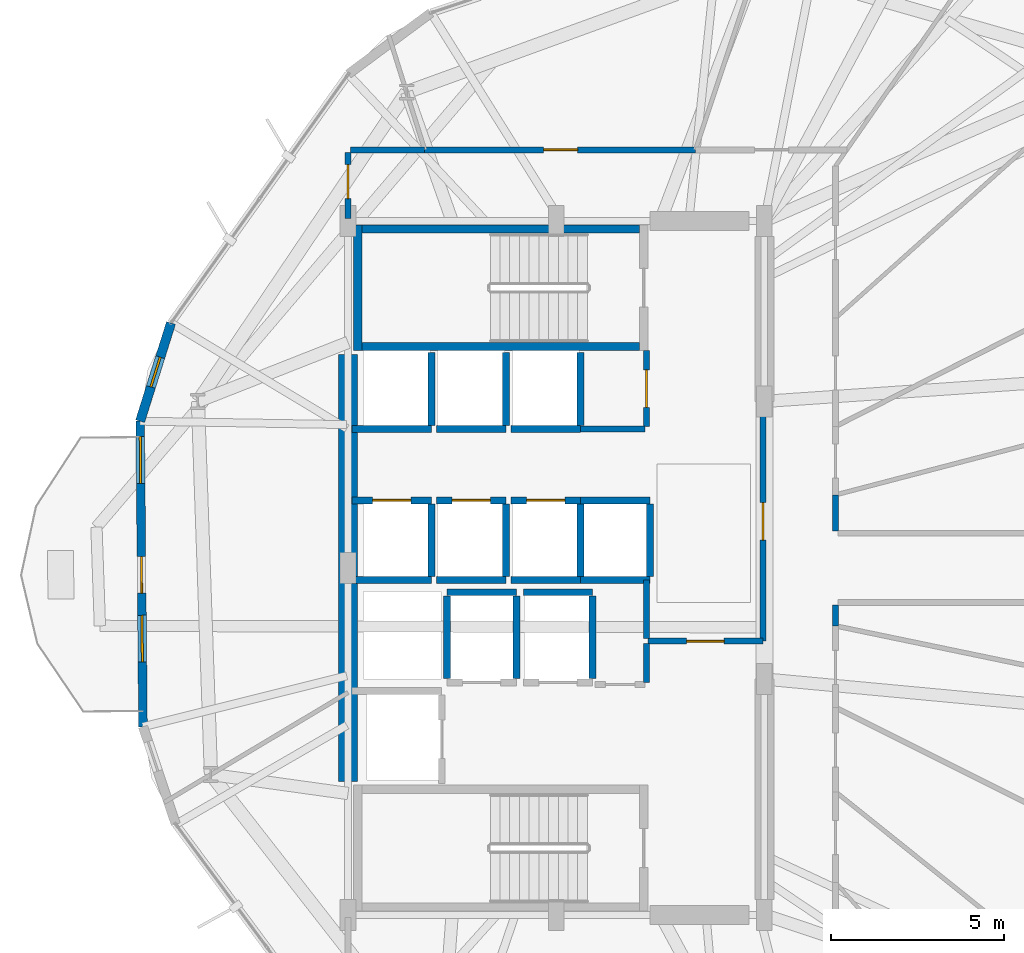
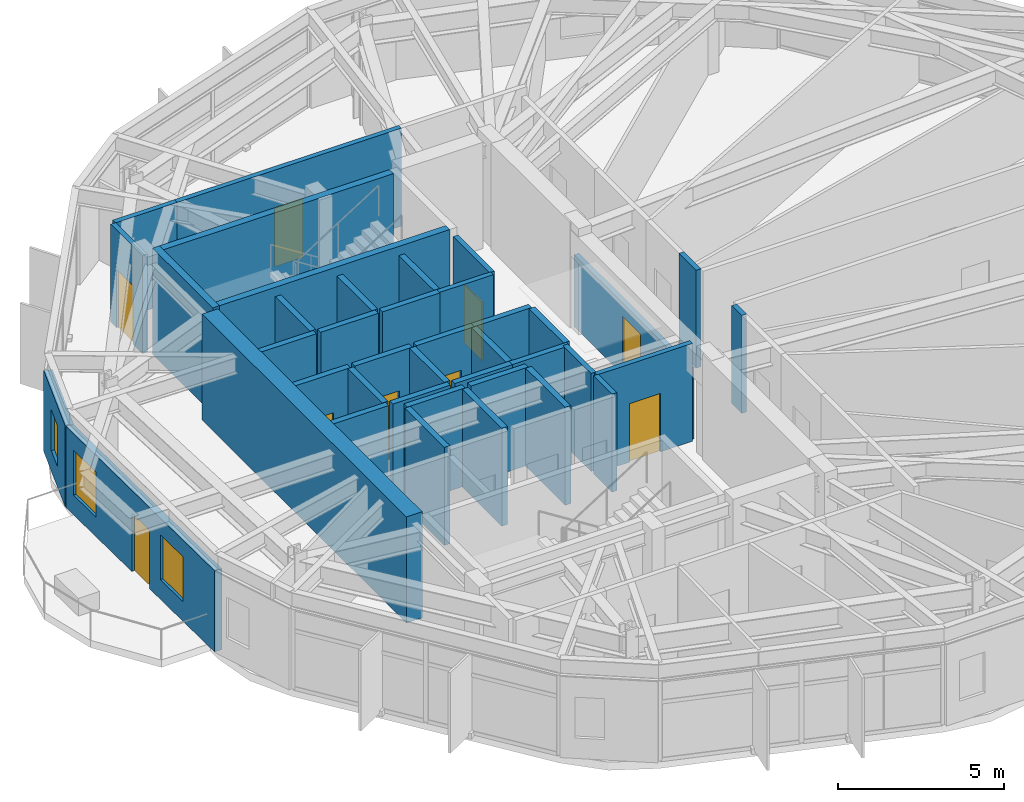
# One storey, part 22 of 27: 40 walls, 9 doors, 3 windows, 12 openings.
"""IFC4 building model written with IfcOpenShell, lengths in metres."""

from ifc_helpers import new_model, si_unit, direction, frame, frame_2d, origin, place, context, subcontext, project, spatial, rectangle, extrude, material, layer, layer_set, type_object, element, fill, save


model = new_model("IFC4")

# Units and contexts
model_context = context("Model", 3, precision=1e-05, world=origin(), true_north=direction((0.0, 1.0)))
body_context = subcontext(model_context, "Body", "Model", "MODEL_VIEW")
ifc_project = project(units=[si_unit("LENGTHUNIT", "METRE"), si_unit("AREAUNIT", "SQUARE_METRE"), si_unit("VOLUMEUNIT", "CUBIC_METRE"), si_unit("PLANEANGLEUNIT", "RADIAN"), si_unit("MASSUNIT", "GRAM", prefix="KILO")], contexts=[model_context])

# Site, building, storey
site_placement = place(None, origin())
site = spatial("IfcSite", under=ifc_project, at=site_placement, CompositionType="ELEMENT")
building_placement = place(site_placement, origin())
building = spatial("IfcBuilding", under=site, at=building_placement, Name="Soratama Intermodal Tower", CompositionType="ELEMENT")
storey_placement = place(building_placement, frame((0.0, 0.0, 103.0)))
storey = spatial("IfcBuildingStorey", under=building, at=storey_placement, Name="L24", CompositionType="ELEMENT", Elevation=103.0)

# Wall, openings, door, windows
ifc_material_1 = material(Name="Concrete f'c 42 MPa", Category="concrete")
ifc_layer_1 = layer(ifc_material_1, 0.25)
ifc_layer_set_1 = layer_set([ifc_layer_1], Name="Concrete f'c 42 MPa")
wall_type_1 = type_object("IfcWallType", Name="EW-BAL-250", PredefinedType="SOLIDWALL", material=ifc_layer_set_1)
wall_1_placement = place(storey_placement, frame((26.607421875, 29.22998046875, 0.0), z_axis=(0.0, 0.0, 1.0), x_axis=(0.009425958451, -0.999955574667, 0.0)))
wall_1 = element("IfcWall", 1, at=wall_1_placement, inside=storey, type_object=wall_type_1, Name="L24 Terrace Wall F05", PredefinedType="SOLIDWALL", context=body_context, shape_type="SweptSolid", body=[
    extrude(rectangle(XDim=8.806396484375, YDim=0.25, at=frame_2d((4.4033203125, 0.0))), origin(), (0.0, 0.0, 1.0), 2.97900390625),
])
opening_1_placement = place(wall_1_placement, frame((3.9033203125, 0.0, 0.0)))
opening_1 = element("IfcOpeningElement", 2, at=opening_1_placement, cuts=wall_1, Name="Opening ED-5", PredefinedType="OPENING", context=body_context, shape_type="SweptSolid", body=[
    extrude(rectangle(XDim=1.050048828125, YDim=2.14990234375, at=frame_2d((0.52490234375, 1.074951171875))), frame((0.0, 0.135009765625, 0.0), z_axis=(0.0, -1.0, 0.0), x_axis=(1.0, 0.0, 0.0)), (0.0, 0.0, 1.0), 0.27001953125),
])
opening_2_placement = place(wall_1_placement, frame((0.43994140625, 0.0, 0.719970703125)))
opening_2 = element("IfcOpeningElement", 3, at=opening_2_placement, cuts=wall_1, Name="Opening WN-4", PredefinedType="OPENING", context=body_context, shape_type="SweptSolid", body=[
    extrude(rectangle(XDim=1.35009765625, YDim=1.64990234375, at=frame_2d((0.675048828125, 0.824951171875))), frame((0.0, 0.135009765625, 0.0), z_axis=(0.0, -1.0, 0.0), x_axis=(1.0, 0.0, 0.0)), (0.0, 0.0, 1.0), 0.27001953125),
])
opening_3_placement = place(wall_1_placement, frame((5.59326171875, 0.0, 0.719970703125)))
opening_3 = element("IfcOpeningElement", 4, at=opening_3_placement, cuts=wall_1, Name="Opening WN-4", PredefinedType="OPENING", context=body_context, shape_type="SweptSolid", body=[
    extrude(rectangle(XDim=1.35009765625, YDim=1.64990234375, at=frame_2d((0.675048828125, 0.824951171875))), frame((0.0, 0.135009765625, 0.0), z_axis=(0.0, -1.0, 0.0), x_axis=(1.0, 0.0, 0.0)), (0.0, 0.0, 1.0), 0.27001953125),
])
ifc_material_2 = material(Name="Double-glazed aluminium door", Category="aluminium")
door_type_1 = type_object("IfcDoorType", Name="DR-BAL-1050", OperationType="NOTDEFINED", PredefinedType="DOOR", material=ifc_material_2)
door_1_placement = place(opening_1_placement, origin())
door_1 = element("IfcDoor", 5, at=door_1_placement, inside=storey, type_object=door_type_1, Name="L24 Balcony Door F05", OperationType="SINGLE_SWING_LEFT", OverallHeight=2.14990234375, OverallWidth=1.050048828125, PredefinedType="DOOR", context=body_context, shape_type="SweptSolid", body=[
    extrude(rectangle(XDim=1.050048828125, YDim=2.14990234375, at=frame_2d((0.52490234375, 1.074951171875))), frame((0.0, 0.02490234375, 0.0), z_axis=(0.0, -1.0, 0.0), x_axis=(1.0, 0.0, 0.0)), (0.0, 0.0, 1.0), 0.050048828125),
])
fill(opening_1, door_1)
ifc_material_3 = material(Name="Double-glazed aluminium window", Category="aluminium")
window_type_1 = type_object("IfcWindowType", Name="WN-FAC-1350", PartitioningType="SINGLE_PANEL", PredefinedType="WINDOW", material=ifc_material_3)
window_1_placement = place(opening_2_placement, origin())
window_1 = element("IfcWindow", 6, at=window_1_placement, inside=storey, type_object=window_type_1, Name="L24 Window A F05", OverallHeight=1.64990234375, OverallWidth=1.35009765625, PartitioningType="SINGLE_PANEL", PredefinedType="WINDOW", context=body_context, shape_type="SweptSolid", body=[
    extrude(rectangle(XDim=1.35009765625, YDim=1.64990234375, at=frame_2d((0.675048828125, 0.824951171875))), frame((0.0, 0.030029296875, 0.0), z_axis=(0.0, -1.0, 0.0), x_axis=(1.0, 0.0, 0.0)), (0.0, 0.0, 1.0), 0.06005859375),
])
fill(opening_2, window_1)
window_2_placement = place(opening_3_placement, origin())
window_2 = element("IfcWindow", 7, at=window_2_placement, inside=storey, type_object=window_type_1, Name="L24 Window B F05", OverallHeight=1.64990234375, OverallWidth=1.35009765625, PartitioningType="SINGLE_PANEL", PredefinedType="WINDOW", context=body_context, shape_type="SweptSolid", body=[
    extrude(rectangle(XDim=1.35009765625, YDim=1.64990234375, at=frame_2d((0.675048828125, 0.824951171875))), frame((0.0, 0.030029296875, 0.0), z_axis=(0.0, -1.0, 0.0), x_axis=(1.0, 0.0, 0.0)), (0.0, 0.0, 1.0), 0.06005859375),
])
fill(opening_3, window_2)

# Wall, opening, window
ifc_material_4 = material(Name="Concrete f'c 42 MPa", Category="concrete")
ifc_layer_2 = layer(ifc_material_4, 0.27001953125)
ifc_layer_set_2 = layer_set([ifc_layer_2], Name="Concrete f'c 42 MPa")
wall_type_2 = type_object("IfcWallType", Name="EW-CRN-270", PredefinedType="SOLIDWALL", material=ifc_layer_set_2)
wall_2_placement = place(storey_placement, frame((27.49755859375, 32.06005859375, 0.0), z_axis=(0.0, 0.0, 1.0), x_axis=(-0.300036293242, -0.953927786962, 0.0)))
wall_2 = element("IfcWall", 8, at=wall_2_placement, inside=storey, type_object=wall_type_2, Name="L24 Corner Closure Wall 04", PredefinedType="SOLIDWALL", context=body_context, shape_type="SweptSolid", body=[
    extrude(rectangle(XDim=2.966796875, YDim=0.27001953125, at=frame_2d((1.4833984375, 0.0))), origin(), (0.0, 0.0, 1.0), 2.97900390625),
])
opening_4_placement = place(wall_2_placement, frame((1.033203125, 0.0, 0.75)))
opening_4 = element("IfcOpeningElement", 9, at=opening_4_placement, cuts=wall_2, Name="Opening WN-6", PredefinedType="OPENING", context=body_context, shape_type="SweptSolid", body=[
    extrude(rectangle(XDim=0.89990234375, YDim=1.5, at=frame_2d((0.449951171875, 0.75))), frame((0.0, 0.14501953125, 0.0), z_axis=(0.0, -1.0, 0.0), x_axis=(1.0, 0.0, 0.0)), (0.0, 0.0, 1.0), 0.2900390625),
])
ifc_material_5 = material(Name="Double-glazed aluminium window", Category="aluminium")
window_type_2 = type_object("IfcWindowType", Name="WN-FAC-900", PartitioningType="SINGLE_PANEL", PredefinedType="WINDOW", material=ifc_material_5)
window_3_placement = place(opening_4_placement, origin())
window_3 = element("IfcWindow", 10, at=window_3_placement, inside=storey, type_object=window_type_2, Name="L24 Corner Window 04", OverallHeight=1.5, OverallWidth=0.89990234375, PartitioningType="SINGLE_PANEL", PredefinedType="WINDOW", context=body_context, shape_type="SweptSolid", body=[
    extrude(rectangle(XDim=0.89990234375, YDim=1.5, at=frame_2d((0.449951171875, 0.75))), frame((0.0, 0.030029296875, 0.0), z_axis=(0.0, -1.0, 0.0), x_axis=(1.0, 0.0, 0.0)), (0.0, 0.0, 1.0), 0.06005859375),
])
fill(opening_4, window_3)

# Wall, opening, door
ifc_material_6 = material(Name="Fire-rated gypsum stud partition", Category="concrete")
ifc_layer_3 = layer(ifc_material_6, 0.169921875)
ifc_layer_set_3 = layer_set([ifc_layer_3], Name="Fire-rated gypsum stud partition")
wall_type_3 = type_object("IfcWallType", Name="IW-PART-R170", PredefinedType="PARTITIONING", material=ifc_layer_set_3)
wall_3_placement = place(storey_placement, frame((34.81005859375, 37.050048828125, 0.0), z_axis=(0.0, 0.0, 1.0), x_axis=(1.0, 0.0, 0.0)))
wall_3 = element("IfcWall", 11, at=wall_3_placement, inside=storey, type_object=wall_type_3, Name="L24 Partition W-L24-TP010", PredefinedType="PARTITIONING", context=body_context, shape_type="SweptSolid", body=[
    extrude(rectangle(XDim=7.803955078125, YDim=0.169921875, at=frame_2d((3.90185546875, 0.0))), origin(), (0.0, 0.0, 1.0), 3.60009765625),
])
opening_5_placement = place(wall_3_placement, frame((3.427001953125, 0.0, 0.0)))
opening_5 = element("IfcOpeningElement", 12, at=opening_5_placement, cuts=wall_3, Name="Opening ID-5", PredefinedType="OPENING", context=body_context, shape_type="SweptSolid", body=[
    extrude(rectangle(XDim=0.97998046875, YDim=2.14990234375, at=frame_2d((0.489990234375, 1.074951171875))), frame((0.0, 0.094970703125, 0.0), z_axis=(0.0, -1.0, 0.0), x_axis=(1.0, 0.0, 0.0)), (0.0, 0.0, 1.0), 0.18994140625),
])
ifc_material_7 = material(Name="Solid hardwood acoustic door", Category="wood")
door_type_2 = type_object("IfcDoorType", Name="DR-OFF-980", OperationType="NOTDEFINED", PredefinedType="DOOR", material=ifc_material_7)
door_2_placement = place(opening_5_placement, origin())
door_2 = element("IfcDoor", 13, at=door_2_placement, inside=storey, type_object=door_type_2, Name="L24 Door D-L24-TP003", OperationType="SINGLE_SWING_RIGHT", OverallHeight=2.14990234375, OverallWidth=0.97998046875, PredefinedType="DOOR", context=body_context, shape_type="SweptSolid", body=[
    extrude(rectangle(XDim=0.97998046875, YDim=2.14990234375, at=frame_2d((0.489990234375, 1.074951171875))), frame((0.0, 0.02490234375, 0.0), z_axis=(0.0, -1.0, 0.0), x_axis=(1.0, 0.0, 0.0)), (0.0, 0.0, 1.0), 0.050048828125),
])
fill(opening_5, door_2)

wall_4_placement = place(storey_placement, frame((44.56005859375, 29.800048828125, 0.0), z_axis=(0.0, 0.0, 1.0), x_axis=(0.0, -1.0, 0.0)))
wall_4 = element("IfcWall", 14, at=wall_4_placement, inside=storey, type_object=wall_type_3, Name="L24 Partition W-L24-TP014", PredefinedType="PARTITIONING", context=body_context, shape_type="SweptSolid", body=[
    extrude(rectangle(XDim=6.91015625, YDim=0.169921875, at=frame_2d((3.455078125, 0.0))), origin(), (0.0, 0.0, 1.0), 2.639892578125),
])
opening_6_placement = place(wall_4_placement, frame((2.9150390625, 0.0, 0.0)))
opening_6 = element("IfcOpeningElement", 15, at=opening_6_placement, cuts=wall_4, Name="Opening ID-1", PredefinedType="OPENING", context=body_context, shape_type="SweptSolid", body=[
    extrude(rectangle(XDim=1.080078125, YDim=2.14990234375, at=frame_2d((0.5400390625, 1.074951171875))), frame((0.0, 0.094970703125, 0.0), z_axis=(0.0, -1.0, 0.0), x_axis=(1.0, 0.0, 0.0)), (0.0, 0.0, 1.0), 0.18994140625),
])
ifc_material_8 = material(Name="Solid hardwood acoustic door", Category="wood")
door_type_3 = type_object("IfcDoorType", Name="DR-LOB-FD60", OperationType="NOTDEFINED", PredefinedType="DOOR", material=ifc_material_8)
door_3_placement = place(opening_6_placement, origin())
door_3 = element("IfcDoor", 16, at=door_3_placement, inside=storey, type_object=door_type_3, Name="L24 Door D-L24-TP004", OperationType="SINGLE_SWING_LEFT", OverallHeight=2.14990234375, OverallWidth=1.080078125, PredefinedType="DOOR", context=body_context, shape_type="SweptSolid", body=[
    extrude(rectangle(XDim=1.080078125, YDim=2.14990234375, at=frame_2d((0.5400390625, 1.074951171875))), frame((0.0, 0.02490234375, 0.0), z_axis=(0.0, -1.0, 0.0), x_axis=(1.0, 0.0, 0.0)), (0.0, 0.0, 1.0), 0.050048828125),
])
fill(opening_6, door_3)

wall_5_placement = place(storey_placement, frame((41.239990234375, 22.889892578125, 0.0), z_axis=(0.0, 0.0, 1.0), x_axis=(1.0, 0.0, 0.0)))
wall_5 = element("IfcWall", 17, at=wall_5_placement, inside=storey, type_object=wall_type_3, Name="L24 Partition W-L24-TP023", PredefinedType="PARTITIONING", context=body_context, shape_type="SweptSolid", body=[
    extrude(rectangle(XDim=3.320068359375, YDim=0.169921875, at=frame_2d((1.66015625, 0.0))), origin(), (0.0, 0.0, 1.0), 3.60009765625),
])
opening_7_placement = place(wall_5_placement, frame((1.1201171875, 0.0, 0.0)))
opening_7 = element("IfcOpeningElement", 18, at=opening_7_placement, cuts=wall_5, Name="Opening ID-0", PredefinedType="OPENING", context=body_context, shape_type="SweptSolid", body=[
    extrude(rectangle(XDim=1.080078125, YDim=2.14990234375, at=frame_2d((0.5400390625, 1.074951171875))), frame((0.0, 0.094970703125, 0.0), z_axis=(0.0, -1.0, 0.0), x_axis=(1.0, 0.0, 0.0)), (0.0, 0.0, 1.0), 0.18994140625),
])
ifc_material_9 = material(Name="Solid hardwood acoustic door", Category="wood")
door_type_4 = type_object("IfcDoorType", Name="DR-LOB-FD90", OperationType="NOTDEFINED", PredefinedType="DOOR", material=ifc_material_9)
door_4_placement = place(opening_7_placement, origin())
door_4 = element("IfcDoor", 19, at=door_4_placement, inside=storey, type_object=door_type_4, Name="L24 Door D-L24-TP007", OperationType="SINGLE_SWING_RIGHT", OverallHeight=2.14990234375, OverallWidth=1.080078125, PredefinedType="DOOR", context=body_context, shape_type="SweptSolid", body=[
    extrude(rectangle(XDim=1.080078125, YDim=2.14990234375, at=frame_2d((0.5400390625, 1.074951171875))), frame((0.0, 0.02490234375, 0.0), z_axis=(0.0, -1.0, 0.0), x_axis=(1.0, 0.0, 0.0)), (0.0, 0.0, 1.0), 0.050048828125),
])
fill(opening_7, door_4)

wall_6_placement = place(storey_placement, frame((41.199951171875, 29.070068359375, 0.0), z_axis=(0.0, 0.0, 1.0), x_axis=(0.0, 1.0, 0.0)))
wall_6 = element("IfcWall", 20, at=wall_6_placement, inside=storey, type_object=wall_type_3, Name="L24 Partition W-L24-TP033", PredefinedType="PARTITIONING", context=body_context, shape_type="SweptSolid", body=[
    extrude(rectangle(XDim=2.18994140625, YDim=0.169921875, at=frame_2d((1.094970703125, 0.0))), origin(), (0.0, 0.0, 1.0), 3.60009765625),
])
opening_8_placement = place(wall_6_placement, frame((0.554931640625, 0.0, 0.0)))
opening_8 = element("IfcOpeningElement", 21, at=opening_8_placement, cuts=wall_6, Name="Opening ID-1", PredefinedType="OPENING", context=body_context, shape_type="SweptSolid", body=[
    extrude(rectangle(XDim=1.080078125, YDim=2.14990234375, at=frame_2d((0.5400390625, 1.074951171875))), frame((0.0, 0.094970703125, 0.0), z_axis=(0.0, -1.0, 0.0), x_axis=(1.0, 0.0, 0.0)), (0.0, 0.0, 1.0), 0.18994140625),
])
door_5_placement = place(opening_8_placement, origin())
door_5 = element("IfcDoor", 22, at=door_5_placement, inside=storey, type_object=door_type_3, Name="L24 Door D-L24-TP017", OperationType="SINGLE_SWING_RIGHT", OverallHeight=2.14990234375, OverallWidth=1.080078125, PredefinedType="DOOR", context=body_context, shape_type="SweptSolid", body=[
    extrude(rectangle(XDim=1.080078125, YDim=2.14990234375, at=frame_2d((0.5400390625, 1.074951171875))), frame((0.0, 0.02490234375, 0.0), z_axis=(0.0, -1.0, 0.0), x_axis=(1.0, 0.0, 0.0)), (0.0, 0.0, 1.0), 0.050048828125),
])
fill(opening_8, door_5)

# Wall
wall_7_placement = place(storey_placement, frame((32.669921875, 37.050048828125, 0.0), z_axis=(0.0, 0.0, 1.0), x_axis=(1.0, 0.0, 0.0)))
element("IfcWall", 23, at=wall_7_placement, inside=storey, type_object=wall_type_3, Name="L24 Partition W-L24-TP034", PredefinedType="PARTITIONING", context=body_context, shape_type="SweptSolid", body=[
    extrude(rectangle(XDim=2.14013671875, YDim=0.169921875, at=frame_2d((1.070068359375, 0.0))), origin(), (0.0, 0.0, 1.0), 3.60009765625),
])

# Wall, opening, door
wall_8_placement = place(storey_placement, frame((32.60009765625, 35.070068359375, 0.0), z_axis=(0.0, 0.0, 1.0), x_axis=(0.0, 1.0, 0.0)))
wall_8 = element("IfcWall", 24, at=wall_8_placement, inside=storey, type_object=wall_type_3, Name="L24 Partition W-L24-TP037", PredefinedType="PARTITIONING", context=body_context, shape_type="SweptSolid", body=[
    extrude(rectangle(XDim=1.909912109375, YDim=0.169921875, at=frame_2d((0.955078125, 0.0))), origin(), (0.0, 0.0, 1.0), 3.60009765625),
])
opening_9_placement = place(wall_8_placement, frame((0.574951171875, 0.0, 0.0)))
opening_9 = element("IfcOpeningElement", 25, at=opening_9_placement, cuts=wall_8, Name="Opening ID-5", PredefinedType="OPENING", context=body_context, shape_type="SweptSolid", body=[
    extrude(rectangle(XDim=0.97998046875, YDim=2.14990234375, at=frame_2d((0.489990234375, 1.074951171875))), frame((0.0, 0.094970703125, 0.0), z_axis=(0.0, -1.0, 0.0), x_axis=(1.0, 0.0, 0.0)), (0.0, 0.0, 1.0), 0.18994140625),
])
door_6_placement = place(opening_9_placement, origin())
door_6 = element("IfcDoor", 26, at=door_6_placement, inside=storey, type_object=door_type_2, Name="L24 Door D-L24-TP019", OperationType="SINGLE_SWING_RIGHT", OverallHeight=2.14990234375, OverallWidth=0.97998046875, PredefinedType="DOOR", context=body_context, shape_type="SweptSolid", body=[
    extrude(rectangle(XDim=0.97998046875, YDim=2.14990234375, at=frame_2d((0.489990234375, 1.074951171875))), frame((0.0, 0.02490234375, 0.0), z_axis=(0.0, -1.0, 0.0), x_axis=(1.0, 0.0, 0.0)), (0.0, 0.0, 1.0), 0.050048828125),
])
fill(opening_9, door_6)

# Walls
wall_9_placement = place(storey_placement, frame((39.300048828125, 29.010009765625, 0.0), z_axis=(0.0, 0.0, 1.0), x_axis=(1.0, 0.0, 0.0)))
element("IfcWall", 27, at=wall_9_placement, inside=storey, type_object=wall_type_3, Name="L24 Partition W-L24-TP038", PredefinedType="PARTITIONING", context=body_context, shape_type="SweptSolid", body=[
    extrude(rectangle(XDim=1.85986328125, YDim=0.169921875, at=frame_2d((0.929931640625, 0.0))), origin(), (0.0, 0.0, 1.0), 3.60009765625),
])
wall_10_placement = place(storey_placement, frame((41.199951171875, 22.9599609375, 0.0), z_axis=(0.0, 0.0, 1.0), x_axis=(0.0, 1.0, 0.0)))
element("IfcWall", 28, at=wall_10_placement, inside=storey, type_object=wall_type_3, Name="L24 Partition W-L24-TP039", PredefinedType="PARTITIONING", context=body_context, shape_type="SweptSolid", body=[
    extrude(rectangle(XDim=1.68994140625, YDim=0.169921875, at=frame_2d((0.844970703125, 0.0))), origin(), (0.0, 0.0, 1.0), 3.60009765625),
])
wall_11_placement = place(storey_placement, frame((41.199951171875, 21.699951171875, 0.0), z_axis=(0.0, 0.0, 1.0), x_axis=(0.0, 1.0, 0.0)))
element("IfcWall", 29, at=wall_11_placement, inside=storey, type_object=wall_type_3, Name="L24 Partition W-L24-TP041", PredefinedType="PARTITIONING", context=body_context, shape_type="SweptSolid", body=[
    extrude(rectangle(XDim=1.1201171875, YDim=0.169921875, at=frame_2d((0.56005859375, 0.0))), origin(), (0.0, 0.0, 1.0), 3.60009765625),
])
wall_12_placement = place(storey_placement, frame((46.64990234375, 27.10595703125, 0.0), z_axis=(0.0, 0.0, 1.0), x_axis=(0.0, -1.0, 0.0)))
element("IfcWall", 30, at=wall_12_placement, inside=storey, type_object=wall_type_3, Name="L24 Partition W-L24-TP042", PredefinedType="PARTITIONING", context=body_context, shape_type="SweptSolid", body=[
    extrude(rectangle(XDim=1.035888671875, YDim=0.169921875, at=frame_2d((0.51806640625, 0.0))), origin(), (0.0, 0.0, 1.0), 3.60009765625),
])
wall_13_placement = place(storey_placement, frame((46.64990234375, 23.929931640625, 0.0), z_axis=(0.0, 0.0, 1.0), x_axis=(0.0, -1.0, 0.0)))
element("IfcWall", 31, at=wall_13_placement, inside=storey, type_object=wall_type_3, Name="L24 Partition W-L24-TP043", PredefinedType="PARTITIONING", context=body_context, shape_type="SweptSolid", body=[
    extrude(rectangle(XDim=0.599853515625, YDim=0.169921875, at=frame_2d((0.2998046875, 0.0))), origin(), (0.0, 0.0, 1.0), 3.60009765625),
])
ifc_material_10 = material(Name="Concrete f'c 42 MPa", Category="concrete")
ifc_layer_4 = layer(ifc_material_10, 0.199951171875)
ifc_layer_set_4 = layer_set([ifc_layer_4], Name="Concrete f'c 42 MPa")
wall_type_4 = type_object("IfcWallType", Name="IW-SHAFT-200", PredefinedType="SOLIDWALL", material=ifc_layer_set_4)
wall_14_placement = place(storey_placement, frame((35.449951171875, 24.300048828125, 0.0), z_axis=(0.0, 0.0, 1.0), x_axis=(1.0, 0.0, 0.0)))
element("IfcWall", 32, at=wall_14_placement, inside=storey, type_object=wall_type_4, Name="L24 FFL-1 Hoistway Wall N", PredefinedType="SOLIDWALL", context=body_context, shape_type="SweptSolid", body=[
    extrude(rectangle(XDim=2.0, YDim=0.199951171875, at=frame_2d((1.0, 0.0))), origin(), (0.0, 0.0, 1.0), 3.60009765625),
])
for number, where, z_axis, x_axis, name in (
    (33, (35.449951171875, 21.81005859375, 0.0), (0.0, 0.0, 1.0), (0.0, 1.0, 0.0), "L24 FFL-1 Hoistway Wall W"),
    (34, (37.449951171875, 21.81005859375, 0.0), (0.0, 0.0, 1.0), (0.0, 1.0, 0.0), "L24 FFL-1 Hoistway Wall E"),
):
    element("IfcWall", number, at=place(storey_placement, frame(where, z_axis=z_axis, x_axis=x_axis)), inside=storey, type_object=wall_type_4, Name=name, PredefinedType="SOLIDWALL", context=body_context, shape_type="SweptSolid", body=[
        extrude(rectangle(XDim=2.3798828125, YDim=0.199951171875, at=frame_2d((1.18994140625, 0.0))), origin(), (0.0, 0.0, 1.0), 3.60009765625),
    ])
wall_15_placement = place(storey_placement, frame((37.64990234375, 24.300048828125, 0.0), z_axis=(0.0, 0.0, 1.0), x_axis=(1.0, 0.0, 0.0)))
element("IfcWall", 35, at=wall_15_placement, inside=storey, type_object=wall_type_4, Name="L24 FFL-2 Hoistway Wall N", PredefinedType="SOLIDWALL", context=body_context, shape_type="SweptSolid", body=[
    extrude(rectangle(XDim=2.0, YDim=0.199951171875, at=frame_2d((1.0, 0.0))), origin(), (0.0, 0.0, 1.0), 3.60009765625),
])
wall_16_placement = place(storey_placement, frame((39.64990234375, 21.81005859375, 0.0), z_axis=(0.0, 0.0, 1.0), x_axis=(0.0, 1.0, 0.0)))
element("IfcWall", 36, at=wall_16_placement, inside=storey, type_object=wall_type_4, Name="L24 FFL-2 Hoistway Wall E", PredefinedType="SOLIDWALL", context=body_context, shape_type="SweptSolid", body=[
    extrude(rectangle(XDim=2.3798828125, YDim=0.199951171875, at=frame_2d((1.18994140625, 0.0))), origin(), (0.0, 0.0, 1.0), 3.60009765625),
])
wall_17_placement = place(storey_placement, frame((32.719970703125, 24.64990234375, 0.0), z_axis=(0.0, 0.0, 1.0), x_axis=(1.0, 0.0, 0.0)))
element("IfcWall", 37, at=wall_17_placement, inside=storey, type_object=wall_type_4, Name="L24 PL-L1 Hoistway Wall S", PredefinedType="SOLIDWALL", context=body_context, shape_type="SweptSolid", body=[
    extrude(rectangle(XDim=2.280029296875, YDim=0.199951171875, at=frame_2d((1.14013671875, 0.0))), origin(), (0.0, 0.0, 1.0), 3.60009765625),
])

# Wall, opening, door
wall_18_placement = place(storey_placement, frame((32.719970703125, 26.949951171875, 0.0), z_axis=(0.0, 0.0, 1.0), x_axis=(1.0, 0.0, 0.0)))
wall_18 = element("IfcWall", 38, at=wall_18_placement, inside=storey, type_object=wall_type_4, Name="L24 PL-L1 Hoistway Wall N", PredefinedType="SOLIDWALL", context=body_context, shape_type="SweptSolid", body=[
    extrude(rectangle(XDim=2.280029296875, YDim=0.199951171875, at=frame_2d((1.14013671875, 0.0))), origin(), (0.0, 0.0, 1.0), 3.60009765625),
])
opening_10_placement = place(wall_18_placement, frame((0.590087890625, 0.0, 0.0)))
opening_10 = element("IfcOpeningElement", 39, at=opening_10_placement, cuts=wall_18, Name="Opening LD-1", PredefinedType="OPENING", context=body_context, shape_type="SweptSolid", body=[
    extrude(rectangle(XDim=1.10009765625, YDim=2.14990234375, at=frame_2d((0.550048828125, 1.074951171875))), frame((0.0, 0.10986328125, 0.0), z_axis=(0.0, -1.0, 0.0), x_axis=(1.0, 0.0, 0.0)), (0.0, 0.0, 1.0), 0.219970703125),
])
ifc_material_11 = material(Name="Steel fire door", Category="steel")
door_type_5 = type_object("IfcDoorType", Name="DR-LIFT-SLIDE", OperationType="NOTDEFINED", PredefinedType="DOOR", material=ifc_material_11)
door_7_placement = place(opening_10_placement, origin())
door_7 = element("IfcDoor", 40, at=door_7_placement, inside=storey, type_object=door_type_5, Name="L24 PL-L1 Sliding Landing Door", OperationType="SLIDING_TO_LEFT", OverallHeight=2.14990234375, OverallWidth=1.10009765625, PredefinedType="DOOR", context=body_context, shape_type="SweptSolid", body=[
    extrude(rectangle(XDim=1.10009765625, YDim=2.14990234375, at=frame_2d((0.550048828125, 1.074951171875))), frame((0.0, 0.02490234375, 0.0), z_axis=(0.0, -1.0, 0.0), x_axis=(1.0, 0.0, 0.0)), (0.0, 0.0, 1.0), 0.050048828125),
])
fill(opening_10, door_7)

# Walls
wall_19_placement = place(storey_placement, frame((35.0, 24.760009765625, 0.0), z_axis=(0.0, 0.0, 1.0), x_axis=(0.0, 1.0, 0.0)))
element("IfcWall", 41, at=wall_19_placement, inside=storey, type_object=wall_type_4, Name="L24 PL-L1 Hoistway Wall E", PredefinedType="SOLIDWALL", context=body_context, shape_type="SweptSolid", body=[
    extrude(rectangle(XDim=2.080078125, YDim=0.199951171875, at=frame_2d((1.0400390625, 0.0))), origin(), (0.0, 0.0, 1.0), 3.60009765625),
])
wall_20_placement = place(storey_placement, frame((35.14990234375, 24.64990234375, 0.0), z_axis=(0.0, 0.0, 1.0), x_axis=(1.0, 0.0, 0.0)))
element("IfcWall", 42, at=wall_20_placement, inside=storey, type_object=wall_type_4, Name="L24 PL-L2 Hoistway Wall S", PredefinedType="SOLIDWALL", context=body_context, shape_type="SweptSolid", body=[
    extrude(rectangle(XDim=2.0, YDim=0.199951171875, at=frame_2d((1.0, 0.0))), origin(), (0.0, 0.0, 1.0), 3.60009765625),
])

# Wall, opening, door
wall_21_placement = place(storey_placement, frame((35.14990234375, 26.949951171875, 0.0), z_axis=(0.0, 0.0, 1.0), x_axis=(1.0, 0.0, 0.0)))
wall_21 = element("IfcWall", 43, at=wall_21_placement, inside=storey, type_object=wall_type_4, Name="L24 PL-L2 Hoistway Wall N", PredefinedType="SOLIDWALL", context=body_context, shape_type="SweptSolid", body=[
    extrude(rectangle(XDim=2.0, YDim=0.199951171875, at=frame_2d((1.0, 0.0))), origin(), (0.0, 0.0, 1.0), 3.60009765625),
])
opening_11_placement = place(wall_21_placement, frame((0.449951171875, 0.0, 0.0)))
opening_11 = element("IfcOpeningElement", 44, at=opening_11_placement, cuts=wall_21, Name="Opening LD-1", PredefinedType="OPENING", context=body_context, shape_type="SweptSolid", body=[
    extrude(rectangle(XDim=1.10009765625, YDim=2.14990234375, at=frame_2d((0.550048828125, 1.074951171875))), frame((0.0, 0.10986328125, 0.0), z_axis=(0.0, -1.0, 0.0), x_axis=(1.0, 0.0, 0.0)), (0.0, 0.0, 1.0), 0.219970703125),
])
door_8_placement = place(opening_11_placement, origin())
door_8 = element("IfcDoor", 45, at=door_8_placement, inside=storey, type_object=door_type_5, Name="L24 PL-L2 Sliding Landing Door", OperationType="SLIDING_TO_LEFT", OverallHeight=2.14990234375, OverallWidth=1.10009765625, PredefinedType="DOOR", context=body_context, shape_type="SweptSolid", body=[
    extrude(rectangle(XDim=1.10009765625, YDim=2.14990234375, at=frame_2d((0.550048828125, 1.074951171875))), frame((0.0, 0.02490234375, 0.0), z_axis=(0.0, -1.0, 0.0), x_axis=(1.0, 0.0, 0.0)), (0.0, 0.0, 1.0), 0.050048828125),
])
fill(opening_11, door_8)

# Walls
wall_22_placement = place(storey_placement, frame((37.14990234375, 24.760009765625, 0.0), z_axis=(0.0, 0.0, 1.0), x_axis=(0.0, 1.0, 0.0)))
element("IfcWall", 46, at=wall_22_placement, inside=storey, type_object=wall_type_4, Name="L24 PL-L2 Hoistway Wall E", PredefinedType="SOLIDWALL", context=body_context, shape_type="SweptSolid", body=[
    extrude(rectangle(XDim=2.080078125, YDim=0.199951171875, at=frame_2d((1.0400390625, 0.0))), origin(), (0.0, 0.0, 1.0), 3.60009765625),
])
wall_23_placement = place(storey_placement, frame((37.300048828125, 24.64990234375, 0.0), z_axis=(0.0, 0.0, 1.0), x_axis=(1.0, 0.0, 0.0)))
element("IfcWall", 47, at=wall_23_placement, inside=storey, type_object=wall_type_4, Name="L24 PL-L3 Hoistway Wall S", PredefinedType="SOLIDWALL", context=body_context, shape_type="SweptSolid", body=[
    extrude(rectangle(XDim=2.0, YDim=0.199951171875, at=frame_2d((1.0, 0.0))), origin(), (0.0, 0.0, 1.0), 3.60009765625),
])

# Wall, opening, door
wall_24_placement = place(storey_placement, frame((37.300048828125, 26.949951171875, 0.0), z_axis=(0.0, 0.0, 1.0), x_axis=(1.0, 0.0, 0.0)))
wall_24 = element("IfcWall", 48, at=wall_24_placement, inside=storey, type_object=wall_type_4, Name="L24 PL-L3 Hoistway Wall N", PredefinedType="SOLIDWALL", context=body_context, shape_type="SweptSolid", body=[
    extrude(rectangle(XDim=2.0, YDim=0.199951171875, at=frame_2d((1.0, 0.0))), origin(), (0.0, 0.0, 1.0), 3.60009765625),
])
opening_12_placement = place(wall_24_placement, frame((0.449951171875, 0.0, 0.0)))
opening_12 = element("IfcOpeningElement", 49, at=opening_12_placement, cuts=wall_24, Name="Opening LD-1", PredefinedType="OPENING", context=body_context, shape_type="SweptSolid", body=[
    extrude(rectangle(XDim=1.10009765625, YDim=2.14990234375, at=frame_2d((0.550048828125, 1.074951171875))), frame((0.0, 0.10986328125, 0.0), z_axis=(0.0, -1.0, 0.0), x_axis=(1.0, 0.0, 0.0)), (0.0, 0.0, 1.0), 0.219970703125),
])
door_9_placement = place(opening_12_placement, origin())
door_9 = element("IfcDoor", 50, at=door_9_placement, inside=storey, type_object=door_type_5, Name="L24 PL-L3 Sliding Landing Door", OperationType="SLIDING_TO_LEFT", OverallHeight=2.14990234375, OverallWidth=1.10009765625, PredefinedType="DOOR", context=body_context, shape_type="SweptSolid", body=[
    extrude(rectangle(XDim=1.10009765625, YDim=2.14990234375, at=frame_2d((0.550048828125, 1.074951171875))), frame((0.0, 0.02490234375, 0.0), z_axis=(0.0, -1.0, 0.0), x_axis=(1.0, 0.0, 0.0)), (0.0, 0.0, 1.0), 0.050048828125),
])
fill(opening_12, door_9)

# Walls
wall_25_placement = place(storey_placement, frame((39.300048828125, 24.760009765625, 0.0), z_axis=(0.0, 0.0, 1.0), x_axis=(0.0, 1.0, 0.0)))
element("IfcWall", 51, at=wall_25_placement, inside=storey, type_object=wall_type_4, Name="L24 PL-L3 Hoistway Wall E", PredefinedType="SOLIDWALL", context=body_context, shape_type="SweptSolid", body=[
    extrude(rectangle(XDim=2.080078125, YDim=0.199951171875, at=frame_2d((1.0400390625, 0.0))), origin(), (0.0, 0.0, 1.0), 3.60009765625),
])
for number, where, z_axis, x_axis, name in (
    (52, (39.300048828125, 24.64990234375, 0.0), (0.0, 0.0, 1.0), (1.0, 0.0, 0.0), "L24 PL-M1 Hoistway Wall S"),
    (53, (39.300048828125, 26.949951171875, 0.0), (0.0, 0.0, 1.0), (1.0, 0.0, 0.0), "L24 PL-M1 Hoistway Wall N"),
):
    element("IfcWall", number, at=place(storey_placement, frame(where, z_axis=z_axis, x_axis=x_axis)), inside=storey, type_object=wall_type_4, Name=name, PredefinedType="SOLIDWALL", context=body_context, shape_type="SweptSolid", body=[
        extrude(rectangle(XDim=2.0, YDim=0.199951171875, at=frame_2d((1.0, 0.0))), origin(), (0.0, 0.0, 1.0), 3.60009765625),
    ])
wall_26_placement = place(storey_placement, frame((41.300048828125, 24.760009765625, 0.0), z_axis=(0.0, 0.0, 1.0), x_axis=(0.0, 1.0, 0.0)))
element("IfcWall", 54, at=wall_26_placement, inside=storey, type_object=wall_type_4, Name="L24 PL-M1 Hoistway Wall E", PredefinedType="SOLIDWALL", context=body_context, shape_type="SweptSolid", body=[
    extrude(rectangle(XDim=2.080078125, YDim=0.199951171875, at=frame_2d((1.0400390625, 0.0))), origin(), (0.0, 0.0, 1.0), 3.60009765625),
])
wall_27_placement = place(storey_placement, frame((32.719970703125, 29.0, 0.0), z_axis=(0.0, 0.0, 1.0), x_axis=(1.0, 0.0, 0.0)))
element("IfcWall", 55, at=wall_27_placement, inside=storey, type_object=wall_type_4, Name="L24 PL-M2 Hoistway Wall S", PredefinedType="SOLIDWALL", context=body_context, shape_type="SweptSolid", body=[
    extrude(rectangle(XDim=2.280029296875, YDim=0.199951171875, at=frame_2d((1.14013671875, 0.0))), origin(), (0.0, 0.0, 1.0), 3.60009765625),
])
wall_28_placement = place(storey_placement, frame((35.0, 29.110107421875, 0.0), z_axis=(0.0, 0.0, 1.0), x_axis=(0.0, 1.0, 0.0)))
element("IfcWall", 56, at=wall_28_placement, inside=storey, type_object=wall_type_4, Name="L24 PL-M2 Hoistway Wall E", PredefinedType="SOLIDWALL", context=body_context, shape_type="SweptSolid", body=[
    extrude(rectangle(XDim=2.099853515625, YDim=0.199951171875, at=frame_2d((1.0498046875, 0.0))), origin(), (0.0, 0.0, 1.0), 3.60009765625),
])
wall_29_placement = place(storey_placement, frame((35.14990234375, 29.0, 0.0), z_axis=(0.0, 0.0, 1.0), x_axis=(1.0, 0.0, 0.0)))
element("IfcWall", 57, at=wall_29_placement, inside=storey, type_object=wall_type_4, Name="L24 PL-H1 Hoistway Wall S", PredefinedType="SOLIDWALL", context=body_context, shape_type="SweptSolid", body=[
    extrude(rectangle(XDim=2.0, YDim=0.199951171875, at=frame_2d((1.0, 0.0))), origin(), (0.0, 0.0, 1.0), 3.60009765625),
])
wall_30_placement = place(storey_placement, frame((37.14990234375, 29.110107421875, 0.0), z_axis=(0.0, 0.0, 1.0), x_axis=(0.0, 1.0, 0.0)))
element("IfcWall", 58, at=wall_30_placement, inside=storey, type_object=wall_type_4, Name="L24 PL-H1 Hoistway Wall E", PredefinedType="SOLIDWALL", context=body_context, shape_type="SweptSolid", body=[
    extrude(rectangle(XDim=2.099853515625, YDim=0.199951171875, at=frame_2d((1.0498046875, 0.0))), origin(), (0.0, 0.0, 1.0), 3.60009765625),
])
wall_31_placement = place(storey_placement, frame((37.300048828125, 29.0, 0.0), z_axis=(0.0, 0.0, 1.0), x_axis=(1.0, 0.0, 0.0)))
element("IfcWall", 59, at=wall_31_placement, inside=storey, type_object=wall_type_4, Name="L24 PL-H2 Hoistway Wall S", PredefinedType="SOLIDWALL", context=body_context, shape_type="SweptSolid", body=[
    extrude(rectangle(XDim=2.0, YDim=0.199951171875, at=frame_2d((1.0, 0.0))), origin(), (0.0, 0.0, 1.0), 3.60009765625),
])
wall_32_placement = place(storey_placement, frame((39.300048828125, 29.110107421875, 0.0), z_axis=(0.0, 0.0, 1.0), x_axis=(0.0, 1.0, 0.0)))
element("IfcWall", 60, at=wall_32_placement, inside=storey, type_object=wall_type_4, Name="L24 PL-H2 Hoistway Wall E", PredefinedType="SOLIDWALL", context=body_context, shape_type="SweptSolid", body=[
    extrude(rectangle(XDim=2.099853515625, YDim=0.199951171875, at=frame_2d((1.0498046875, 0.0))), origin(), (0.0, 0.0, 1.0), 3.60009765625),
])
ifc_material_12 = material(Name="Concrete f'c 56 MPa", Category="concrete")
ifc_layer_5 = layer(ifc_material_12, 0.550048828125)
ifc_layer_set_5 = layer_set([ifc_layer_5], Name="Concrete f'c 56 MPa")
wall_type_5 = type_object("IfcWallType", Name="SW-CORE-550", PredefinedType="SHEAR", material=ifc_layer_set_5)
wall_33_placement = place(storey_placement, frame((32.60009765625, 18.85009765625, 0.0), z_axis=(0.0, 0.0, 1.0), x_axis=(0.0, 1.0, 0.0)))
element("IfcWall", 61, at=wall_33_placement, inside=storey, type_object=wall_type_5, Name="L24 Core Shear Wall CW-WMID", PredefinedType="SHEAR", context=body_context, shape_type="SweptSolid", body=[
    extrude(rectangle(XDim=12.2998046875, YDim=0.550048828125, at=frame_2d((6.14990234375, 0.0))), origin(), (0.0, 0.0, 1.0), 3.89990234375),
])
ifc_material_13 = material(Name="Concrete f'c 56 MPa", Category="concrete")
ifc_layer_6 = layer(ifc_material_13, 0.239990234375)
ifc_layer_set_6 = layer_set([ifc_layer_6], Name="Concrete f'c 56 MPa")
wall_type_6 = type_object("IfcWallType", Name="SW-STAIR-240", PredefinedType="SHEAR", material=ifc_layer_set_6)
wall_34_placement = place(storey_placement, frame((32.8798828125, 31.260009765625, 0.0), z_axis=(0.0, 0.0, 1.0), x_axis=(0.0, 1.0, 0.0)))
element("IfcWall", 62, at=wall_34_placement, inside=storey, type_object=wall_type_6, Name="L24 ST-2 Shaft Shear Wall W", PredefinedType="SHEAR", context=body_context, shape_type="SweptSolid", body=[
    extrude(rectangle(XDim=3.6298828125, YDim=0.239990234375, at=frame_2d((1.81494140625, 0.0))), origin(), (0.0, 0.0, 1.0), 3.89990234375),
])
for number, where, z_axis, x_axis, name in (
    (63, (33.0, 31.3798828125, 0.0), (0.0, 0.0, 1.0), (1.0, 0.0, 0.0), "L24 ST-2 Shaft Shear Wall S"),
    (64, (33.0, 34.77001953125, 0.0), (0.0, 0.0, 1.0), (1.0, 0.0, 0.0), "L24 ST-2 Shaft Shear Wall N"),
):
    element("IfcWall", number, at=place(storey_placement, frame(where, z_axis=z_axis, x_axis=x_axis)), inside=storey, type_object=wall_type_6, Name=name, PredefinedType="SHEAR", context=body_context, shape_type="SweptSolid", body=[
        extrude(rectangle(XDim=8.0, YDim=0.239990234375, at=frame_2d((4.0, 0.0))), origin(), (0.0, 0.0, 1.0), 3.89990234375),
    ])

save(model, "model.ifc")
